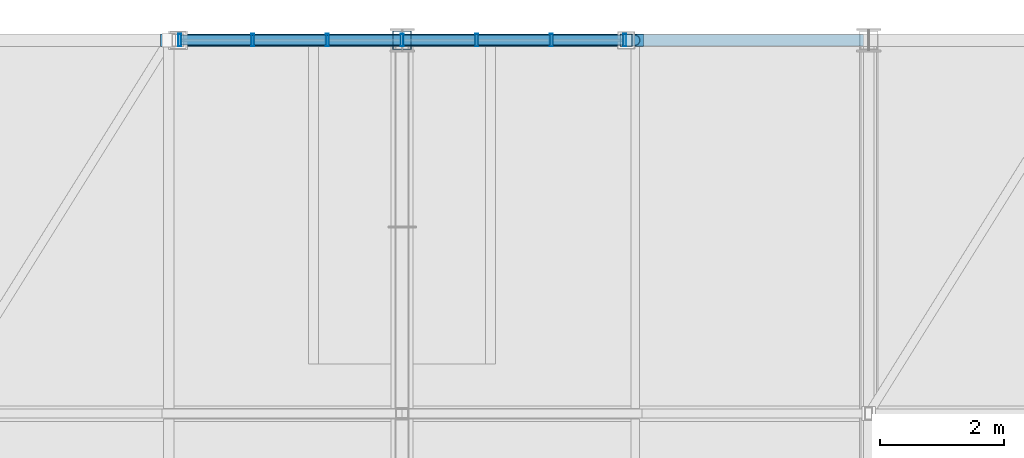
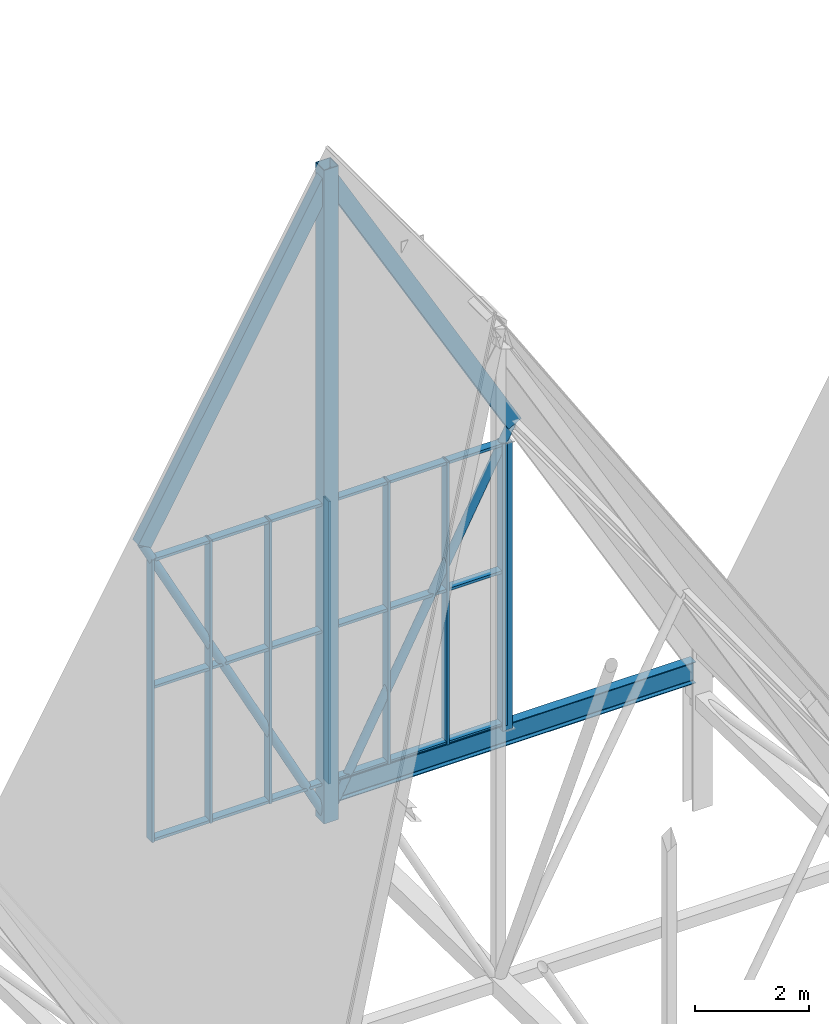
# One storey, part 154 of 324: 31 members, 1 beam, 1 element without a shape of its own.
"""IFC4 building model written with IfcOpenShell, lengths in metres."""

from ifc_helpers import new_model, si_unit, direction, frame, origin, origin_2d, place, context, subcontext, project, spatial, hollow_rectangle, hollow_circle, i_section, extrude, material, layer, layer_set, material_profile, profile_set, type_object, element, aggregate, save


model = new_model("IFC4")

# Units and contexts
model_context = context("Model", 3, precision=1e-05, world=origin(), true_north=direction((0.0, 1.0)))
body_context = subcontext(model_context, "Body", "Model", "MODEL_VIEW")
ifc_project = project(units=[si_unit("LENGTHUNIT", "METRE"), si_unit("AREAUNIT", "SQUARE_METRE"), si_unit("VOLUMEUNIT", "CUBIC_METRE"), si_unit("PLANEANGLEUNIT", "RADIAN"), si_unit("MASSUNIT", "GRAM", prefix="KILO")], contexts=[model_context])

# Site, building, storey
site_placement = place(None, origin())
site = spatial("IfcSite", under=ifc_project, at=site_placement, CompositionType="ELEMENT")
building_placement = place(site_placement, origin())
building = spatial("IfcBuilding", under=site, at=building_placement, Name="Solvenia Promenade Tram Depot", CompositionType="ELEMENT")
storey_placement = place(building_placement, frame((0.0, 0.0, 4.5)))
storey = spatial("IfcBuildingStorey", under=building, at=storey_placement, Name="L01", CompositionType="ELEMENT", Elevation=4.5)

# Curtain wall, members
ifc_material_1 = material(Name="Anodized aluminium AW-6063 T6", Category="aluminium")
ifc_layer = layer(ifc_material_1, 0.14990234375, Name="Anodized aluminium AW-6063 T6", Category="aluminium")
ifc_layer_set = layer_set([ifc_layer], Name="Anodized aluminium AW-6063 T6")
curtain_wall_type = type_object("IfcCurtainWallType", Name="CW-Gable-1200", PredefinedType="NOTDEFINED", material=ifc_layer_set)
curtain_wall_placement = place(storey_placement, origin())
curtain_wall = element("IfcCurtainWall", 1, at=curtain_wall_placement, inside=storey, type_object=curtain_wall_type, Name="North Zigzag Gable 05 Peak Glazing", PredefinedType="NOTDEFINED")
ifc_material_profile_1 = material_profile(ifc_material_1, hollow_rectangle(XDim=0.199951171875, YDim=0.048095703125, WallThickness=0.00390625, at=origin_2d()), Name="ALU-M3", Category="aluminium")
ifc_profile_set_1 = profile_set([ifc_material_profile_1], Name="Anodized aluminium AW-6063 T6")
member_type_1 = type_object("IfcMemberType", Name="CWM-Mullion-3", PredefinedType="MULLION", material=ifc_profile_set_1)
member_1_placement = place(storey_placement, frame((63.924072265625, 126.0, 3.10009765625), z_axis=(0.0, 0.0, 1.0), x_axis=(0.0, 1.0, 0.0)))
member_1 = element("IfcMember", 2, at=member_1_placement, type_object=member_type_1, Name="CW-3 mullion 1", PredefinedType="MULLION", context=body_context, shape_type="SweptSolid", body=[
    extrude(hollow_rectangle(XDim=0.199951171875, YDim=0.048095703125, WallThickness=0.00390625, at=origin_2d()), origin(), (0.0, 0.0, 1.0), 6.0498046875),
])
member_2_placement = place(storey_placement, frame((65.10009765625, 126.0, 3.10009765625), z_axis=(0.0, 0.0, 1.0), x_axis=(0.0, 1.0, 0.0)))
member_2 = element("IfcMember", 3, at=member_2_placement, type_object=member_type_1, Name="CW-3 mullion 2", PredefinedType="MULLION", context=body_context, shape_type="SweptSolid", body=[
    extrude(hollow_rectangle(XDim=0.199951171875, YDim=0.048095703125, WallThickness=0.00390625, at=origin_2d()), origin(), (0.0, 0.0, 1.0), 6.0498046875),
])
member_3_placement = place(storey_placement, frame((66.300048828125, 126.0, 3.10009765625), z_axis=(0.0, 0.0, 1.0), x_axis=(0.0, 1.0, 0.0)))
member_3 = element("IfcMember", 4, at=member_3_placement, type_object=member_type_1, Name="CW-3 mullion 3", PredefinedType="MULLION", context=body_context, shape_type="SweptSolid", body=[
    extrude(hollow_rectangle(XDim=0.199951171875, YDim=0.048095703125, WallThickness=0.00390625, at=origin_2d()), origin(), (0.0, 0.0, 1.0), 6.0498046875),
])
member_4_placement = place(storey_placement, frame((67.5, 126.0, 3.10009765625), z_axis=(0.0, 0.0, 1.0), x_axis=(0.0, 1.0, 0.0)))
member_4 = element("IfcMember", 5, at=member_4_placement, type_object=member_type_1, Name="CW-3 mullion 4", PredefinedType="MULLION", context=body_context, shape_type="SweptSolid", body=[
    extrude(hollow_rectangle(XDim=0.199951171875, YDim=0.048095703125, WallThickness=0.00390625, at=origin_2d()), origin(), (0.0, 0.0, 1.0), 6.0498046875),
])
member_5_placement = place(storey_placement, frame((68.699951171875, 126.0, 3.10009765625), z_axis=(0.0, 0.0, 1.0), x_axis=(0.0, 1.0, 0.0)))
member_5 = element("IfcMember", 6, at=member_5_placement, type_object=member_type_1, Name="CW-3 mullion 5", PredefinedType="MULLION", context=body_context, shape_type="SweptSolid", body=[
    extrude(hollow_rectangle(XDim=0.199951171875, YDim=0.048095703125, WallThickness=0.00390625, at=origin_2d()), origin(), (0.0, 0.0, 1.0), 6.0498046875),
])
member_6_placement = place(storey_placement, frame((69.89990234375, 126.0, 3.10009765625), z_axis=(0.0, 0.0, 1.0), x_axis=(0.0, 1.0, 0.0)))
member_6 = element("IfcMember", 7, at=member_6_placement, type_object=member_type_1, Name="CW-3 mullion 6", PredefinedType="MULLION", context=body_context, shape_type="SweptSolid", body=[
    extrude(hollow_rectangle(XDim=0.199951171875, YDim=0.048095703125, WallThickness=0.00390625, at=origin_2d()), origin(), (0.0, 0.0, 1.0), 6.0498046875),
])
member_7_placement = place(storey_placement, frame((71.075927734375, 126.0, 3.10009765625), z_axis=(0.0, 0.0, 1.0), x_axis=(0.0, 1.0, 0.0)))
member_7 = element("IfcMember", 8, at=member_7_placement, type_object=member_type_1, Name="CW-3 mullion 7", PredefinedType="MULLION", context=body_context, shape_type="SweptSolid", body=[
    extrude(hollow_rectangle(XDim=0.199951171875, YDim=0.048095703125, WallThickness=0.00390625, at=origin_2d()), origin(), (0.0, 0.0, 1.0), 6.0498046875),
])
ifc_material_profile_2 = material_profile(ifc_material_1, hollow_rectangle(XDim=0.159912109375, YDim=0.05810546875, WallThickness=0.00390625, at=origin_2d()), Name="ALU-T3", Category="aluminium")
ifc_profile_set_2 = profile_set([ifc_material_profile_2], Name="Anodized aluminium AW-6063 T6")
member_type_2 = type_object("IfcMemberType", Name="CWT-Transom-3", PredefinedType="USERDEFINED", material=ifc_profile_set_2)
member_8_placement = place(storey_placement, frame((63.947998046875, 126.0, 3.12890625), z_axis=(1.0, 0.0, 0.0), x_axis=(0.0, 1.0, 0.0)))
member_8 = element("IfcMember", 9, at=member_8_placement, type_object=member_type_2, Name="CW-3 transom 1.1", ObjectType="TRANSOM", PredefinedType="USERDEFINED", context=body_context, shape_type="SweptSolid", body=[
    extrude(hollow_rectangle(XDim=0.159912109375, YDim=0.05810546875, WallThickness=0.00390625, at=origin_2d()), origin(), (0.0, 0.0, 1.0), 1.1279296875),
])
member_9_placement = place(storey_placement, frame((63.947998046875, 126.0, 6.39990234375), z_axis=(1.0, 0.0, 0.0), x_axis=(0.0, 1.0, 0.0)))
member_9 = element("IfcMember", 10, at=member_9_placement, type_object=member_type_2, Name="CW-3 transom 1.2", ObjectType="TRANSOM", PredefinedType="USERDEFINED", context=body_context, shape_type="SweptSolid", body=[
    extrude(hollow_rectangle(XDim=0.159912109375, YDim=0.05810546875, WallThickness=0.00390625, at=origin_2d()), origin(), (0.0, 0.0, 1.0), 1.1279296875),
])
member_10_placement = place(storey_placement, frame((63.947998046875, 126.0, 9.12109375), z_axis=(1.0, 0.0, 0.0), x_axis=(0.0, 1.0, 0.0)))
member_10 = element("IfcMember", 11, at=member_10_placement, type_object=member_type_2, Name="CW-3 transom 1.3", ObjectType="TRANSOM", PredefinedType="USERDEFINED", context=body_context, shape_type="SweptSolid", body=[
    extrude(hollow_rectangle(XDim=0.159912109375, YDim=0.05810546875, WallThickness=0.00390625, at=origin_2d()), origin(), (0.0, 0.0, 1.0), 1.1279296875),
])
member_11_placement = place(storey_placement, frame((65.1240234375, 126.0, 3.12890625), z_axis=(1.0, 0.0, 0.0), x_axis=(0.0, 1.0, 0.0)))
member_11 = element("IfcMember", 12, at=member_11_placement, type_object=member_type_2, Name="CW-3 transom 2.1", ObjectType="TRANSOM", PredefinedType="USERDEFINED", context=body_context, shape_type="SweptSolid", body=[
    extrude(hollow_rectangle(XDim=0.159912109375, YDim=0.05810546875, WallThickness=0.00390625, at=origin_2d()), origin(), (0.0, 0.0, 1.0), 1.15185546875),
])
member_12_placement = place(storey_placement, frame((65.1240234375, 126.0, 6.39990234375), z_axis=(1.0, 0.0, 0.0), x_axis=(0.0, 1.0, 0.0)))
member_12 = element("IfcMember", 13, at=member_12_placement, type_object=member_type_2, Name="CW-3 transom 2.2", ObjectType="TRANSOM", PredefinedType="USERDEFINED", context=body_context, shape_type="SweptSolid", body=[
    extrude(hollow_rectangle(XDim=0.159912109375, YDim=0.05810546875, WallThickness=0.00390625, at=origin_2d()), origin(), (0.0, 0.0, 1.0), 1.15185546875),
])
member_13_placement = place(storey_placement, frame((65.1240234375, 126.0, 9.12109375), z_axis=(1.0, 0.0, 0.0), x_axis=(0.0, 1.0, 0.0)))
member_13 = element("IfcMember", 14, at=member_13_placement, type_object=member_type_2, Name="CW-3 transom 2.3", ObjectType="TRANSOM", PredefinedType="USERDEFINED", context=body_context, shape_type="SweptSolid", body=[
    extrude(hollow_rectangle(XDim=0.159912109375, YDim=0.05810546875, WallThickness=0.00390625, at=origin_2d()), origin(), (0.0, 0.0, 1.0), 1.15185546875),
])
member_14_placement = place(storey_placement, frame((66.323974609375, 126.0, 3.12890625), z_axis=(1.0, 0.0, 0.0), x_axis=(0.0, 1.0, 0.0)))
member_14 = element("IfcMember", 15, at=member_14_placement, type_object=member_type_2, Name="CW-3 transom 3.1", ObjectType="TRANSOM", PredefinedType="USERDEFINED", context=body_context, shape_type="SweptSolid", body=[
    extrude(hollow_rectangle(XDim=0.159912109375, YDim=0.05810546875, WallThickness=0.00390625, at=origin_2d()), origin(), (0.0, 0.0, 1.0), 1.152099609375),
])
member_15_placement = place(storey_placement, frame((66.323974609375, 126.0, 6.39990234375), z_axis=(1.0, 0.0, 0.0), x_axis=(0.0, 1.0, 0.0)))
member_15 = element("IfcMember", 16, at=member_15_placement, type_object=member_type_2, Name="CW-3 transom 3.2", ObjectType="TRANSOM", PredefinedType="USERDEFINED", context=body_context, shape_type="SweptSolid", body=[
    extrude(hollow_rectangle(XDim=0.159912109375, YDim=0.05810546875, WallThickness=0.00390625, at=origin_2d()), origin(), (0.0, 0.0, 1.0), 1.152099609375),
])
member_16_placement = place(storey_placement, frame((66.323974609375, 126.0, 9.12109375), z_axis=(1.0, 0.0, 0.0), x_axis=(0.0, 1.0, 0.0)))
member_16 = element("IfcMember", 17, at=member_16_placement, type_object=member_type_2, Name="CW-3 transom 3.3", ObjectType="TRANSOM", PredefinedType="USERDEFINED", context=body_context, shape_type="SweptSolid", body=[
    extrude(hollow_rectangle(XDim=0.159912109375, YDim=0.05810546875, WallThickness=0.00390625, at=origin_2d()), origin(), (0.0, 0.0, 1.0), 1.152099609375),
])
member_17_placement = place(storey_placement, frame((67.52392578125, 126.0, 3.12890625), z_axis=(1.0, 0.0, 0.0), x_axis=(0.0, 1.0, 0.0)))
member_17 = element("IfcMember", 18, at=member_17_placement, type_object=member_type_2, Name="CW-3 transom 4.1", ObjectType="TRANSOM", PredefinedType="USERDEFINED", context=body_context, shape_type="SweptSolid", body=[
    extrude(hollow_rectangle(XDim=0.159912109375, YDim=0.05810546875, WallThickness=0.00390625, at=origin_2d()), origin(), (0.0, 0.0, 1.0), 1.152099609375),
])
member_18_placement = place(storey_placement, frame((67.52392578125, 126.0, 6.39990234375), z_axis=(1.0, 0.0, 0.0), x_axis=(0.0, 1.0, 0.0)))
member_18 = element("IfcMember", 19, at=member_18_placement, type_object=member_type_2, Name="CW-3 transom 4.2", ObjectType="TRANSOM", PredefinedType="USERDEFINED", context=body_context, shape_type="SweptSolid", body=[
    extrude(hollow_rectangle(XDim=0.159912109375, YDim=0.05810546875, WallThickness=0.00390625, at=origin_2d()), origin(), (0.0, 0.0, 1.0), 1.152099609375),
])
member_19_placement = place(storey_placement, frame((67.52392578125, 126.0, 9.12109375), z_axis=(1.0, 0.0, 0.0), x_axis=(0.0, 1.0, 0.0)))
member_19 = element("IfcMember", 20, at=member_19_placement, type_object=member_type_2, Name="CW-3 transom 4.3", ObjectType="TRANSOM", PredefinedType="USERDEFINED", context=body_context, shape_type="SweptSolid", body=[
    extrude(hollow_rectangle(XDim=0.159912109375, YDim=0.05810546875, WallThickness=0.00390625, at=origin_2d()), origin(), (0.0, 0.0, 1.0), 1.152099609375),
])
member_20_placement = place(storey_placement, frame((68.72412109375, 126.0, 3.12890625), z_axis=(1.0, 0.0, 0.0), x_axis=(0.0, 1.0, 0.0)))
member_20 = element("IfcMember", 21, at=member_20_placement, type_object=member_type_2, Name="CW-3 transom 5.1", ObjectType="TRANSOM", PredefinedType="USERDEFINED", context=body_context, shape_type="SweptSolid", body=[
    extrude(hollow_rectangle(XDim=0.159912109375, YDim=0.05810546875, WallThickness=0.00390625, at=origin_2d()), origin(), (0.0, 0.0, 1.0), 1.15185546875),
])
member_21_placement = place(storey_placement, frame((68.72412109375, 126.0, 6.39990234375), z_axis=(1.0, 0.0, 0.0), x_axis=(0.0, 1.0, 0.0)))
member_21 = element("IfcMember", 22, at=member_21_placement, type_object=member_type_2, Name="CW-3 transom 5.2", ObjectType="TRANSOM", PredefinedType="USERDEFINED", context=body_context, shape_type="SweptSolid", body=[
    extrude(hollow_rectangle(XDim=0.159912109375, YDim=0.05810546875, WallThickness=0.00390625, at=origin_2d()), origin(), (0.0, 0.0, 1.0), 1.15185546875),
])
member_22_placement = place(storey_placement, frame((68.72412109375, 126.0, 9.12109375), z_axis=(1.0, 0.0, 0.0), x_axis=(0.0, 1.0, 0.0)))
member_22 = element("IfcMember", 23, at=member_22_placement, type_object=member_type_2, Name="CW-3 transom 5.3", ObjectType="TRANSOM", PredefinedType="USERDEFINED", context=body_context, shape_type="SweptSolid", body=[
    extrude(hollow_rectangle(XDim=0.159912109375, YDim=0.05810546875, WallThickness=0.00390625, at=origin_2d()), origin(), (0.0, 0.0, 1.0), 1.15185546875),
])
member_23_placement = place(storey_placement, frame((69.924072265625, 126.0, 3.12890625), z_axis=(1.0, 0.0, 0.0), x_axis=(0.0, 1.0, 0.0)))
member_23 = element("IfcMember", 24, at=member_23_placement, type_object=member_type_2, Name="CW-3 transom 6.1", ObjectType="TRANSOM", PredefinedType="USERDEFINED", context=body_context, shape_type="SweptSolid", body=[
    extrude(hollow_rectangle(XDim=0.159912109375, YDim=0.05810546875, WallThickness=0.00390625, at=origin_2d()), origin(), (0.0, 0.0, 1.0), 1.1279296875),
])
member_24_placement = place(storey_placement, frame((69.924072265625, 126.0, 6.39990234375), z_axis=(1.0, 0.0, 0.0), x_axis=(0.0, 1.0, 0.0)))
member_24 = element("IfcMember", 25, at=member_24_placement, type_object=member_type_2, Name="CW-3 transom 6.2", ObjectType="TRANSOM", PredefinedType="USERDEFINED", context=body_context, shape_type="SweptSolid", body=[
    extrude(hollow_rectangle(XDim=0.159912109375, YDim=0.05810546875, WallThickness=0.00390625, at=origin_2d()), origin(), (0.0, 0.0, 1.0), 1.1279296875),
])
member_25_placement = place(storey_placement, frame((69.924072265625, 126.0, 9.12109375), z_axis=(1.0, 0.0, 0.0), x_axis=(0.0, 1.0, 0.0)))
member_25 = element("IfcMember", 26, at=member_25_placement, type_object=member_type_2, Name="CW-3 transom 6.3", ObjectType="TRANSOM", PredefinedType="USERDEFINED", context=body_context, shape_type="SweptSolid", body=[
    extrude(hollow_rectangle(XDim=0.159912109375, YDim=0.05810546875, WallThickness=0.00390625, at=origin_2d()), origin(), (0.0, 0.0, 1.0), 1.1279296875),
])
aggregate(curtain_wall, [member_1, member_2, member_3, member_4, member_5, member_6, member_7, member_8, member_9, member_10, member_11, member_12, member_13, member_14, member_15, member_16, member_17, member_18, member_19, member_20, member_21, member_22, member_23, member_24, member_25])

# Members
ifc_material_2 = material(Name="Structural steel ASTM A500 Gr. C", Category="steel")
ifc_material_profile_3 = material_profile(ifc_material_2, hollow_rectangle(XDim=0.199951171875, YDim=0.300048828125, WallThickness=0.012451171875, at=origin_2d()), Name="HSS300x200x12.5", Category="steel")
ifc_profile_set_3 = profile_set([ifc_material_profile_3], Name="Structural steel ASTM A500 Gr. C")
member_type_3 = type_object("IfcMemberType", Name="Chord-HSS300x200x12", PredefinedType="CHORD", material=ifc_profile_set_3)
for number, where, z_axis, x_axis, name in (
    (27, (63.75, 126.0, 9.501220703125), (0.494861595532, 0.0, 0.868971806946), (0.0, 1.0, 0.0), "Zigzag Gable 05 West Upper Rafter"),
    (28, (67.5, 126.0, 16.086181640625), (0.494861595532, 0.0, -0.868971806946), (0.0, 1.0, 0.0), "Zigzag Gable 05 East Upper Rafter"),
):
    element("IfcMember", number, at=place(storey_placement, frame(where, z_axis=z_axis, x_axis=x_axis)), inside=storey, type_object=member_type_3, Name=name, PredefinedType="CHORD", context=body_context, shape_type="SweptSolid", body=[
        extrude(hollow_rectangle(XDim=0.199951171875, YDim=0.300048828125, WallThickness=0.012451171875, at=origin_2d()), origin(), (0.0, 0.0, 1.0), 7.577880859375),
    ])
ifc_material_profile_4 = material_profile(ifc_material_2, hollow_rectangle(XDim=0.300048828125, YDim=0.300048828125, WallThickness=0.012451171875, at=origin_2d()), Name="HSS300x300x12.5", Category="steel")
ifc_profile_set_4 = profile_set([ifc_material_profile_4], Name="Structural steel ASTM A500 Gr. C")
member_type_4 = type_object("IfcMemberType", Name="Chord-HSS300x300x12", PredefinedType="CHORD", material=ifc_profile_set_4)
member_26_placement = place(storey_placement, frame((67.5, 126.0, 2.320068359375), z_axis=(0.0, 0.0, 1.0), x_axis=(1.0, 0.0, 0.0)))
element("IfcMember", 29, at=member_26_placement, inside=storey, type_object=member_type_4, Name="Arched Truss T10 N End Post", PredefinedType="CHORD", context=body_context, shape_type="SweptSolid", body=[
    extrude(hollow_rectangle(XDim=0.300048828125, YDim=0.300048828125, WallThickness=0.012451171875, at=origin_2d()), origin(), (0.0, 0.0, 1.0), 14.0),
])
ifc_material_profile_5 = material_profile(ifc_material_2, hollow_rectangle(XDim=0.199951171875, YDim=0.199951171875, WallThickness=0.010009765625, at=origin_2d()), Name="HSS200x200x10", Category="steel")
ifc_profile_set_5 = profile_set([ifc_material_profile_5], Name="Structural steel ASTM A500 Gr. C")
member_type_5 = type_object("IfcMemberType", Name="Post-HSS200x200x10", PredefinedType="POST", material=ifc_profile_set_5)
member_27_placement = place(storey_placement, frame((71.10009765625, 126.0, 3.0), z_axis=(0.0, 0.0, 1.0), x_axis=(1.0, 0.0, 0.0)))
element("IfcMember", 30, at=member_27_placement, inside=storey, type_object=member_type_5, Name="Gable Curtain-Wall Steel Jamb Post 018", PredefinedType="POST", context=body_context, shape_type="SweptSolid", body=[
    extrude(hollow_rectangle(XDim=0.199951171875, YDim=0.199951171875, WallThickness=0.010009765625, at=origin_2d()), origin(), (0.0, 0.0, 1.0), 6.14990234375),
])

# Beam
ifc_material_3 = material(Name="Structural steel ASTM A992 Gr. 50", Category="steel")
ifc_material_profile_6 = material_profile(ifc_material_3, i_section(OverallWidth=0.19091796875, OverallDepth=0.4599609375, WebThickness=0.010009765625, FlangeThickness=0.01611328125, FilletRadius=0.012939453125, at=origin_2d()), Name="W460x82", Category="steel")
ifc_profile_set_6 = profile_set([ifc_material_profile_6], Name="Structural steel ASTM A992 Gr. 50")
beam_type = type_object("IfcBeamType", Name="Spandrel-W460x82", PredefinedType="SPANDREL", material=ifc_profile_set_6)
beam_placement = place(storey_placement, frame((67.5849609375, 126.0, 2.889892578125), z_axis=(1.0, 0.0, 0.0), x_axis=(0.0, 1.0, 0.0)))
element("IfcBeam", 31, at=beam_placement, inside=storey, type_object=beam_type, Name="North Shed Eave Girder BM-L01-0977", PredefinedType="SPANDREL", context=body_context, shape_type="SweptSolid", body=[
    extrude(i_section(OverallWidth=0.19091796875, OverallDepth=0.4599609375, WebThickness=0.010009765625, FlangeThickness=0.01611328125, FilletRadius=0.012939453125, at=origin_2d()), origin(), (0.0, 0.0, 1.0), 7.330078125),
])

# Members
ifc_material_profile_7 = material_profile(ifc_material_2, hollow_circle(Radius=0.084228515625, WallThickness=0.008056640625, at=origin_2d()), Name="CHS168.3x8", Category="steel")
ifc_profile_set_7 = profile_set([ifc_material_profile_7], Name="Structural steel ASTM A500 Gr. C")
member_type_6 = type_object("IfcMemberType", Name="WebDiag-CHS168x8", PredefinedType="BRACE", material=ifc_profile_set_7)
for number, where, z_axis, x_axis, name in (
    (32, (67.5, 126.0, 2.320068359375), (-0.462887306423, 0.0, 0.886417137443), (0.0, -1.0, 0.0), "Zigzag Gable 05 West Knee Strut"),
    (33, (67.5, 126.0, 2.320068359375), (0.462887306423, 0.0, 0.886417137443), (0.0, 1.0, 0.0), "Zigzag Gable 05 East Knee Strut"),
):
    element("IfcMember", number, at=place(storey_placement, frame(where, z_axis=z_axis, x_axis=x_axis)), inside=storey, type_object=member_type_6, Name=name, PredefinedType="BRACE", context=body_context, shape_type="SweptSolid", body=[
        extrude(hollow_circle(Radius=0.084228515625, WallThickness=0.008056640625, at=origin_2d()), origin(), (0.0, 0.0, 1.0), 8.101318359375),
    ])

save(model, "model.ifc")
